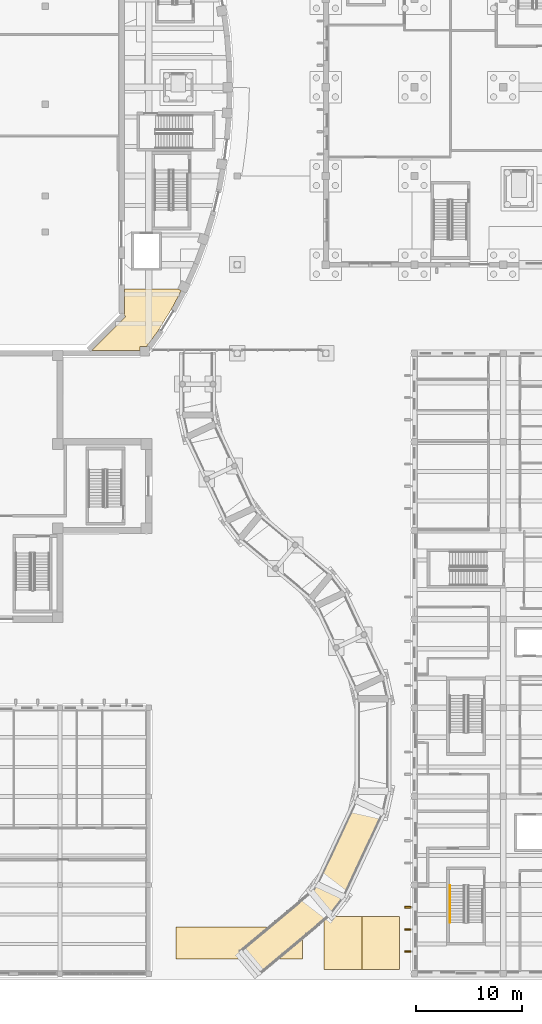
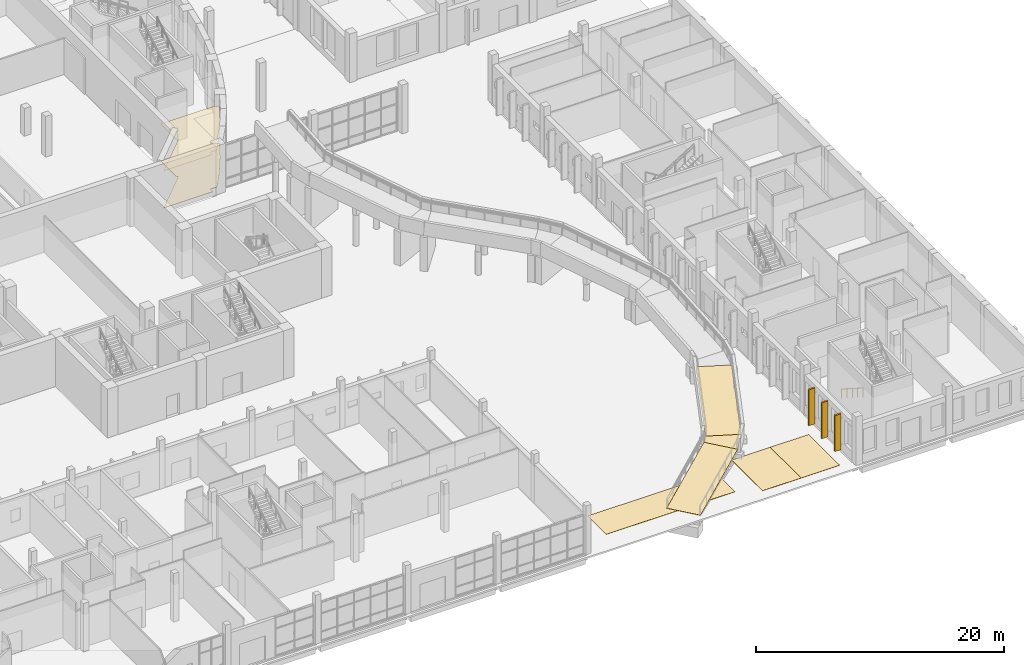
# One storey, part 85 of 110: 11 coverings, 1 railing.
"""IFC4 building model written with IfcOpenShell, lengths in metres."""

import ifcopenshell
import ifcopenshell.guid

model = None  # the IFC model being written
_history = None  # IfcOwnerHistory: only IFC2X3 demands one
_inside = {}  # id of a spatial element -> (the spatial element, [elements in it])
_under = {}  # id of a project, library or spatial element -> (it, [spatial elements below it])
_declared = {}  # id of a project -> (the project, [libraries it declares])
_typed = {}  # id of a type object -> (the type object, [elements of that type])
_made_of = {}  # id of a material, layer set ... -> (it, [elements and type objects made of it])


def new_model(schema):
    """Start an empty IFC model of exactly this schema.

    Asked for "IFC4X3", IfcOpenShell would pick the latest addendum, in which some entities
    have other attributes; the version numbers below select the first issue.
    IFC2X3 requires an IfcOwnerHistory on every rooted entity: one is made here for all.
    """
    global model, _history
    if schema == "IFC4X3":
        model = ifcopenshell.file(schema_version=(4, 3, 0, 0))
    else:
        model = ifcopenshell.file(schema=schema)
    _inside.clear()
    _under.clear()
    _declared.clear()
    _typed.clear()
    _made_of.clear()
    _history = None
    if model.schema == "IFC2X3":
        org = make("IfcOrganization", Name="unknown")
        user = make(
            "IfcPersonAndOrganization",
            ThePerson=make("IfcPerson", FamilyName="unknown"),
            TheOrganization=org,
        )
        app = make(
            "IfcApplication",
            ApplicationDeveloper=org,
            Version="unknown",
            ApplicationFullName="unknown",
            ApplicationIdentifier="unknown",
        )
        _history = make(
            "IfcOwnerHistory",
            OwningUser=user,
            OwningApplication=app,
            ChangeAction="ADDED",
            CreationDate=0,
        )
    return model


def make(cls, **values):
    """One entity of the class cls with the attributes given. An attribute that is None is left unset."""
    return model.create_entity(
        cls, **{name: value for name, value in values.items() if value is not None}
    )


def rooted(cls, **values):
    """An entity with a GlobalId (a new one), such as an element, a storey or a relation."""
    return make(cls, GlobalId=ifcopenshell.guid.new(), OwnerHistory=_history, **values)


def si_unit(unit_type, name, prefix=None):
    """IfcSIUnit, for example si_unit("LENGTHUNIT", "METRE", prefix="MILLI")."""
    return make("IfcSIUnit", UnitType=unit_type, Prefix=prefix, Name=name)


def assignment(units):
    """IfcUnitAssignment: the units of a project."""
    return None if units is None else make("IfcUnitAssignment", Units=units)


def point(xyz):
    """IfcCartesianPoint."""
    return None if xyz is None else make("IfcCartesianPoint", Coordinates=xyz)


def direction(xyz):
    """IfcDirection."""
    return None if xyz is None else make("IfcDirection", DirectionRatios=xyz)


def frame(location, z_axis=None, x_axis=None):
    """IfcAxis2Placement3D, a coordinate frame: its origin and axes. An axis left out is left unset."""
    return make(
        "IfcAxis2Placement3D",
        Location=point(location),
        Axis=direction(z_axis),
        RefDirection=direction(x_axis),
    )


def frame_2d(location, x_axis=None):
    """IfcAxis2Placement2D, a coordinate frame in the plane: its origin and x axis."""
    return make(
        "IfcAxis2Placement2D", Location=point(location), RefDirection=direction(x_axis)
    )


def origin():
    """The frame at (0, 0, 0) with its axes left unset."""
    return frame((0.0, 0.0, 0.0))


def origin_2d():
    """The frame at (0, 0) in the plane with its x axis left unset."""
    return frame_2d((0.0, 0.0))


def place(relative_to, where):
    """IfcLocalPlacement: puts the frame where relative to a parent placement (None: the world)."""
    return make(
        "IfcLocalPlacement", PlacementRelTo=relative_to, RelativePlacement=where
    )


def context(
    kind, dimensions, precision=None, world=None, true_north=None, identifier=None
):
    """IfcGeometricRepresentationContext, for example the 3D "Model" context."""
    return make(
        "IfcGeometricRepresentationContext",
        ContextIdentifier=identifier,
        ContextType=kind,
        CoordinateSpaceDimension=dimensions,
        Precision=precision,
        WorldCoordinateSystem=world,
        TrueNorth=true_north,
    )


def subcontext(parent, identifier, kind, view, scale=None):
    """IfcGeometricRepresentationSubContext, for example "Body" below "Model"."""
    return make(
        "IfcGeometricRepresentationSubContext",
        ContextIdentifier=identifier,
        ContextType=kind,
        ParentContext=parent,
        TargetScale=scale,
        TargetView=view,
    )


def project(units=None, contexts=None):
    """IfcProject with its units and contexts."""
    return rooted(
        "IfcProject",
        Name="project",
        RepresentationContexts=contexts,
        UnitsInContext=assignment(units),
    )


def spatial(cls, under=None, at=None, **own):
    """A site, building, storey or space (cls), placed at a placement, below another one or the project."""
    s = rooted(cls, ObjectPlacement=at, **own)
    if under is not None:
        _under.setdefault(under.id(), (under, []))[1].append(s)
    return s


def polyline(points):
    """IfcPolyline through the points."""
    return make("IfcPolyline", Points=[point(p) for p in points])


def profile(cls, at=None, kind="AREA", **sizes):
    """A parametric profile (cls). Its sizes go by their IFC names, for example OverallWidth=200.0."""
    return make(cls, ProfileType=kind, Position=at, **sizes)


def circle(**sizes):
    """IfcCircleProfileDef."""
    return profile("IfcCircleProfileDef", **sizes)


def outline(outer, holes=None, kind="AREA"):
    """IfcArbitraryClosedProfileDef: a profile drawn as a closed curve; with holes, ...WithVoids."""
    if holes is None:
        return make("IfcArbitraryClosedProfileDef", ProfileType=kind, OuterCurve=outer)
    return make(
        "IfcArbitraryProfileDefWithVoids",
        ProfileType=kind,
        OuterCurve=outer,
        InnerCurves=holes,
    )


def extrude(swept, where, along, depth):
    """IfcExtrudedAreaSolid: the profile swept, set in the frame where, extruded along a direction by depth."""
    return make(
        "IfcExtrudedAreaSolid",
        SweptArea=swept,
        Position=where,
        ExtrudedDirection=direction(along),
        Depth=depth,
    )


def shape(context_of_items, identifier, shape_type, items):
    """IfcShapeRepresentation: the items that make up one representation, for example the "Body"."""
    return make(
        "IfcShapeRepresentation",
        ContextOfItems=context_of_items,
        RepresentationIdentifier=identifier,
        RepresentationType=shape_type,
        Items=items,
    )


def material(Name=None, Category=None):
    """IfcMaterial."""
    return make("IfcMaterial", Name=Name, Category=Category)


def layer(
    of_material, thickness, ventilated=None, Name=None, Category=None, Priority=None
):
    """IfcMaterialLayer: one layer of a wall or slab, of a material (None: an air gap)."""
    return make(
        "IfcMaterialLayer",
        Material=of_material,
        LayerThickness=thickness,
        IsVentilated=ventilated,
        Name=Name,
        Category=Category,
        Priority=Priority,
    )


def layer_set(layers, Name=None):
    """IfcMaterialLayerSet."""
    return make("IfcMaterialLayerSet", MaterialLayers=layers, LayerSetName=Name)


def made_of(thing, what):
    """Note that an element or type object is made of a material, layer set ...; save() writes the relation."""
    if what is not None:
        _made_of.setdefault(what.id(), (what, []))[1].append(thing)
    return thing


def type_object(cls, material=None, **own):
    """A type object (cls), such as IfcWallType, which elements share."""
    return made_of(rooted(cls, **own), material)


def element(
    cls,
    number,
    at=None,
    inside=None,
    cuts=None,
    type_object=None,
    material=None,
    context=None,
    identifier="Body",
    shape_type=None,
    held_by="IfcProductDefinitionShape",
    body=None,
    shapes=None,
    **own,
):
    """One element of the class cls, such as IfcWall. Its Tag is "e" and its number.

    at: its placement. inside: the storey or other place that contains it. cuts: it is an
    opening in that element (IfcRelVoidsElement). A single representation is given by context,
    identifier, shape_type and body (its items); several are given by shapes. held_by: the class
    of the entity that holds the representations. save() writes the other relations.
    """
    e = rooted(cls, Tag="e%d" % number, ObjectPlacement=at, **own)
    if body is not None:
        shapes = [shape(context, identifier, shape_type, body)]
    if shapes is not None:
        e.Representation = make(held_by, Representations=shapes)
    if inside is not None:
        _inside.setdefault(inside.id(), (inside, []))[1].append(e)
    if cuts is not None:
        rooted(
            "IfcRelVoidsElement", RelatingBuildingElement=cuts, RelatedOpeningElement=e
        )
    if type_object is not None:
        _typed.setdefault(type_object.id(), (type_object, []))[1].append(e)
    return made_of(e, material)


def aggregate(whole, parts):
    """IfcRelAggregates: a whole, such as a stair, and the parts it consists of."""
    return rooted("IfcRelAggregates", RelatingObject=whole, RelatedObjects=parts)


def save(model, path):
    """Write the relations noted so far, then the file.

    IfcRelAggregates (storeys below a building ...), IfcRelContainedInSpatialStructure (elements
    in a storey), IfcRelDefinesByType, IfcRelAssociatesMaterial and IfcRelDeclares: one each for
    every whole, place, type object, material and project.
    """
    for whole, parts in _under.values():
        aggregate(whole, parts)
    for where, things in _inside.values():
        rooted(
            "IfcRelContainedInSpatialStructure",
            RelatedElements=things,
            RelatingStructure=where,
        )
    for kind, things in _typed.values():
        rooted("IfcRelDefinesByType", RelatedObjects=things, RelatingType=kind)
    for what, things in _made_of.values():
        rooted("IfcRelAssociatesMaterial", RelatedObjects=things, RelatingMaterial=what)
    for by, libraries in _declared.values():
        rooted("IfcRelDeclares", RelatingContext=by, RelatedDefinitions=libraries)
    model.write(path)


model = new_model("IFC4")

# Units and contexts
model_context = context("Model", 3, precision=1e-05, world=origin(), true_north=direction((0.0, 1.0)))
body_context = subcontext(model_context, "Body", "Model", "MODEL_VIEW")
ifc_project = project(units=[si_unit("LENGTHUNIT", "METRE"), si_unit("AREAUNIT", "SQUARE_METRE"), si_unit("VOLUMEUNIT", "CUBIC_METRE"), si_unit("PLANEANGLEUNIT", "RADIAN"), si_unit("MASSUNIT", "GRAM", prefix="KILO")], contexts=[model_context])

# Site, building, storey
site_placement = place(None, origin())
site = spatial("IfcSite", under=ifc_project, at=site_placement, CompositionType="ELEMENT")
building_placement = place(site_placement, origin())
building = spatial("IfcBuilding", under=site, at=building_placement, Name="Larchfold Concert Hall", CompositionType="ELEMENT")
storey_placement = place(building_placement, origin())
storey = spatial("IfcBuildingStorey", under=building, at=storey_placement, Name="L00", CompositionType="ELEMENT", Elevation=0.0)

# Coverings
ifc_material_1 = material(Name="Plasterboard ceiling lining")
ifc_layer_1 = layer(ifc_material_1, 0.030029296875)
ifc_layer_set_1 = layer_set([ifc_layer_1], Name="Plasterboard ceiling lining")
covering_type_1 = type_object("IfcCoveringType", Name="Ceiling suspended plasterboard 30", PredefinedType="CEILING", material=ifc_layer_set_1)
covering_1_placement = place(storey_placement, frame((0.0, 0.0, 3.670166015625)))
element("IfcCovering", 1, at=covering_1_placement, inside=storey, type_object=covering_type_1, Name="Ceiling Hall Foyer South East", PredefinedType="CEILING", context=body_context, shape_type="SweptSolid", body=[
    extrude(outline(polyline([(61.56884765625, 63.580078125), (62.492919921875, 65.332763671875), (62.147705078125, 65.5), (57.10009765625, 65.5), (57.10009765625, 63.050048828125), (57.0859375, 63.035888671875), (57.23779296875, 62.884033203125), (54.003662109375, 59.64990234375), (58.59716796875, 59.64990234375), (58.59716796875, 60.0498046875), (59.213134765625, 60.0498046875), (60.286376953125, 61.515380859375), (61.56884765625, 63.580078125)])), origin(), (0.0, 0.0, 1.0), 0.030029296875),
])
ifc_material_2 = material(Name="Polished terrazzo")
ifc_layer_2 = layer(ifc_material_2, 0.0400390625)
ifc_layer_set_2 = layer_set([ifc_layer_2], Name="Polished terrazzo")
covering_type_2 = type_object("IfcCoveringType", Name="Floor finish terrazzo 40", PredefinedType="FLOORING", material=ifc_layer_set_2)
covering_2_placement = place(storey_placement, origin())
element("IfcCovering", 2, at=covering_2_placement, inside=storey, type_object=covering_type_2, Name="Floor finish Hall Foyer South East", PredefinedType="FLOORING", context=body_context, shape_type="SweptSolid", body=[
    extrude(outline(polyline([(61.56884765625, 63.580078125), (62.492919921875, 65.332763671875), (62.147705078125, 65.5), (57.10009765625, 65.5), (57.10009765625, 63.050048828125), (57.0859375, 63.035888671875), (57.23779296875, 62.884033203125), (54.003662109375, 59.64990234375), (58.59716796875, 59.64990234375), (58.59716796875, 60.0498046875), (59.213134765625, 60.0498046875), (60.286376953125, 61.515380859375), (61.56884765625, 63.580078125)])), origin(), (0.0, 0.0, 1.0), 0.0400390625),
])
ifc_material_3 = material(Name="Linoleum sheet")
ifc_layer_3 = layer(ifc_material_3, 0.02001953125)
ifc_layer_set_3 = layer_set([ifc_layer_3], Name="Linoleum sheet")
covering_type_3 = type_object("IfcCoveringType", Name="Floor finish vinyl 20", PredefinedType="FLOORING", material=ifc_layer_set_3)
covering_3_placement = place(storey_placement, origin())
element("IfcCovering", 3, at=covering_3_placement, inside=storey, type_object=covering_type_3, Name="Floor finish Accessible Parking Bay 1", PredefinedType="FLOORING", context=body_context, shape_type="SweptSolid", body=[
    extrude(outline(polyline([(76.0, 6.0), (76.0, 1.0), (79.60009765625, 1.0), (79.60009765625, 6.0), (76.0, 6.0)])), origin(), (0.0, 0.0, 1.0), 0.02001953125),
])
covering_4_placement = place(storey_placement, origin())
element("IfcCovering", 4, at=covering_4_placement, inside=storey, type_object=covering_type_3, Name="Floor finish Accessible Parking Bay 2", PredefinedType="FLOORING", context=body_context, shape_type="SweptSolid", body=[
    extrude(outline(polyline([(79.60009765625, 6.0), (79.60009765625, 1.0), (83.199951171875, 1.0), (83.199951171875, 6.0), (79.60009765625, 6.0)])), origin(), (0.0, 0.0, 1.0), 0.02001953125),
])
covering_5_placement = place(storey_placement, origin())
element("IfcCovering", 5, at=covering_5_placement, inside=storey, type_object=covering_type_3, Name="Floor finish Forecourt Bicycle Racks", PredefinedType="FLOORING", context=body_context, shape_type="SweptSolid", body=[
    extrude(outline(polyline([(62.0, 5.0), (62.0, 2.0), (74.0, 2.0), (74.0, 5.0), (62.0, 5.0)])), origin(), (0.0, 0.0, 1.0), 0.02001953125),
])
ifc_material_4 = material(Name="Glulam GL30c", Category="wood")
ifc_layer_4 = layer(ifc_material_4, 0.159912109375)
ifc_layer_set_4 = layer_set([ifc_layer_4], Name="Glulam GL30c")
covering_type_4 = type_object("IfcCoveringType", Name="Glulam fin 160x600", PredefinedType="CLADDING", material=ifc_layer_set_4)
covering_6_placement = place(storey_placement, frame((0.0, 0.0, 0.199951171875)))
element("IfcCovering", 6, at=covering_6_placement, inside=storey, type_object=covering_type_4, Name="Glulam fin FN-L00-049", PredefinedType="CLADDING", context=body_context, shape_type="SweptSolid", body=[
    extrude(outline(polyline([(84.275146484375, 2.6201171875), (84.275146484375, 2.780029296875), (83.675048828125, 2.780029296875), (83.675048828125, 2.6201171875), (84.275146484375, 2.6201171875)])), origin(), (0.0, 0.0, 1.0), 3.5400390625),
])
covering_7_placement = place(storey_placement, frame((0.0, 0.0, 0.199951171875)))
element("IfcCovering", 7, at=covering_7_placement, inside=storey, type_object=covering_type_4, Name="Glulam fin FN-L00-050", PredefinedType="CLADDING", context=body_context, shape_type="SweptSolid", body=[
    extrude(outline(polyline([(84.275146484375, 4.719970703125), (84.275146484375, 4.8798828125), (83.675048828125, 4.8798828125), (83.675048828125, 4.719970703125), (84.275146484375, 4.719970703125)])), origin(), (0.0, 0.0, 1.0), 3.5400390625),
])
covering_8_placement = place(storey_placement, frame((0.0, 0.0, 0.199951171875)))
element("IfcCovering", 8, at=covering_8_placement, inside=storey, type_object=covering_type_4, Name="Glulam fin FN-L00-051", PredefinedType="CLADDING", context=body_context, shape_type="SweptSolid", body=[
    extrude(outline(polyline([(84.275146484375, 6.820068359375), (84.275146484375, 6.97998046875), (83.675048828125, 6.97998046875), (83.675048828125, 6.820068359375), (84.275146484375, 6.820068359375)])), origin(), (0.0, 0.0, 1.0), 3.5400390625),
])
ifc_material_5 = material(Name="Non-slip broom-finished concrete topping", Category="concrete")
ifc_layer_5 = layer(ifc_material_5, 0.030029296875)
ifc_layer_set_5 = layer_set([ifc_layer_5], Name="Non-slip broom-finished concrete topping")
covering_type_5 = type_object("IfcCoveringType", Name="Ramp surface non-slip 30", PredefinedType="FLOORING", material=ifc_layer_set_5)
covering_9_placement = place(storey_placement, frame((68.06787109375, 2.731689453125, 0.030029296875), z_axis=(-0.062577119012, -0.052509767118, 0.996657829214), x_axis=(0.763487793167, 0.640635011704, 0.08168948197)))
element("IfcCovering", 9, at=covering_9_placement, inside=storey, type_object=covering_type_5, Name="Ramp surface RF01", PredefinedType="FLOORING", context=body_context, shape_type="SweptSolid", body=[
    extrude(outline(polyline([(0.0, 0.0), (8.813505554996896, 9.821516430003063e-17), (8.81355784555376, -2.9002272018900666), (5.229055686495343e-05, -2.9002272018900666), (0.0, 0.0)])), origin(), (0.0, 0.0, -1.0), 0.030029296875),
])
covering_10_placement = place(storey_placement, frame((74.796875, 8.3779296875, 0.75), z_axis=(0.0, 0.0, 1.0), x_axis=(0.608695898449, 0.793403619358, 0.0)))
element("IfcCovering", 10, at=covering_10_placement, inside=storey, type_object=covering_type_5, Name="Ramp surface RL01", PredefinedType="FLOORING", context=body_context, shape_type="SweptSolid", body=[
    extrude(outline(polyline([(0.0, 0.0), (0.8723664160176452, 5.551115123125783e-17), (1.4998893343595476, -2.8314054629461483), (-0.627877526337699, -2.8310938998515756), (0.0, 0.0)])), origin(), (0.0, 0.0, -1.0), 0.030029296875),
])
covering_11_placement = place(storey_placement, frame((75.327880859375, 9.070068359375, 0.75), z_axis=(-0.034522591169, -0.074037891739, 0.996657705176), x_axis=(0.42119755292, 0.903282460087, 0.081690995302)))
element("IfcCovering", 11, at=covering_11_placement, inside=storey, type_object=covering_type_5, Name="Ramp surface RF02", PredefinedType="FLOORING", context=body_context, shape_type="SweptSolid", body=[
    extrude(outline(polyline([(0.0, 0.0), (8.813342284133345, -3.193153274888734e-16), (8.813375219949373, -2.900110671605631), (3.29358160273685e-05, -2.900110671605631), (0.0, 0.0)])), origin(), (0.0, 0.0, -1.0), 0.030029296875),
])

# Railing
ifc_material_6 = material(Name="Stainless steel handrail", Category="steel")
railing_type = type_object("IfcRailingType", Name="Stair handrail 900", PredefinedType="HANDRAIL", material=ifc_material_6)
railing_placement = place(storey_placement, frame((87.949951171875, 8.949951171875, 0.17138671875)))
element("IfcRailing", 12, at=railing_placement, inside=storey, type_object=railing_type, Name="Handrail HR0049", PredefinedType="HANDRAIL", context=body_context, shape_type="SweptSolid", body=[
    extrude(circle(Radius=0.02392578125, at=origin_2d()), frame((0.0, 0.0, 0.8759765625), z_axis=(0.0, -0.844219563411, 0.53599750816), x_axis=(1.0, 0.0, 0.0)), (0.0, 0.0, 1.0), 4.15771484375),
    extrude(circle(Radius=0.02099609375, at=origin_2d()), origin(), (0.0, 0.0, 1.0), 0.851806640625),
    extrude(circle(Radius=0.02099609375, at=origin_2d()), frame((0.0, -0.87744140625, 0.55712890625)), (0.0, 0.0, 1.0), 0.851806640625),
    extrude(circle(Radius=0.02099609375, at=origin_2d()), frame((0.0, -1.7548828125, 1.1142578125)), (0.0, 0.0, 1.0), 0.851806640625),
    extrude(circle(Radius=0.02099609375, at=origin_2d()), frame((0.0, -2.632568359375, 1.67138671875)), (0.0, 0.0, 1.0), 0.851806640625),
    extrude(circle(Radius=0.02099609375, at=origin_2d()), frame((0.0, -3.510009765625, 2.228515625)), (0.0, 0.0, 1.0), 0.851806640625),
])

save(model, "model.ifc")
